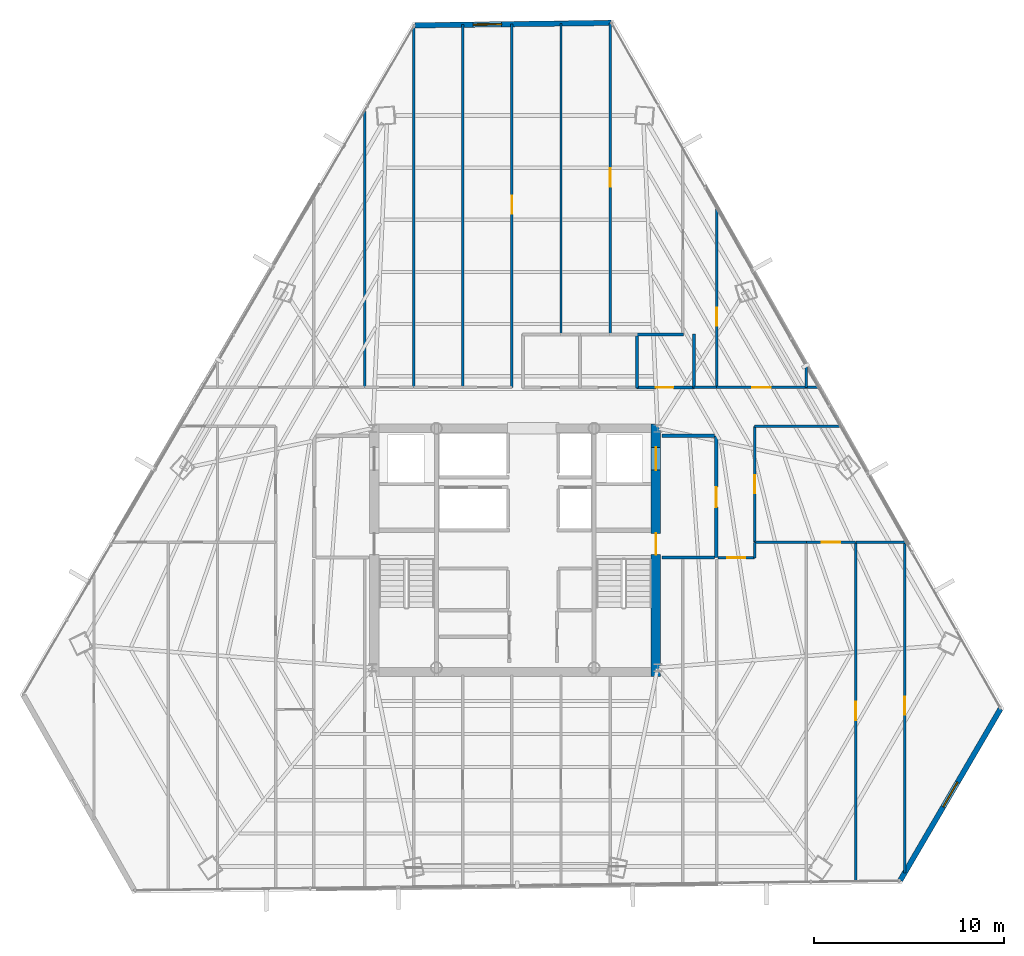
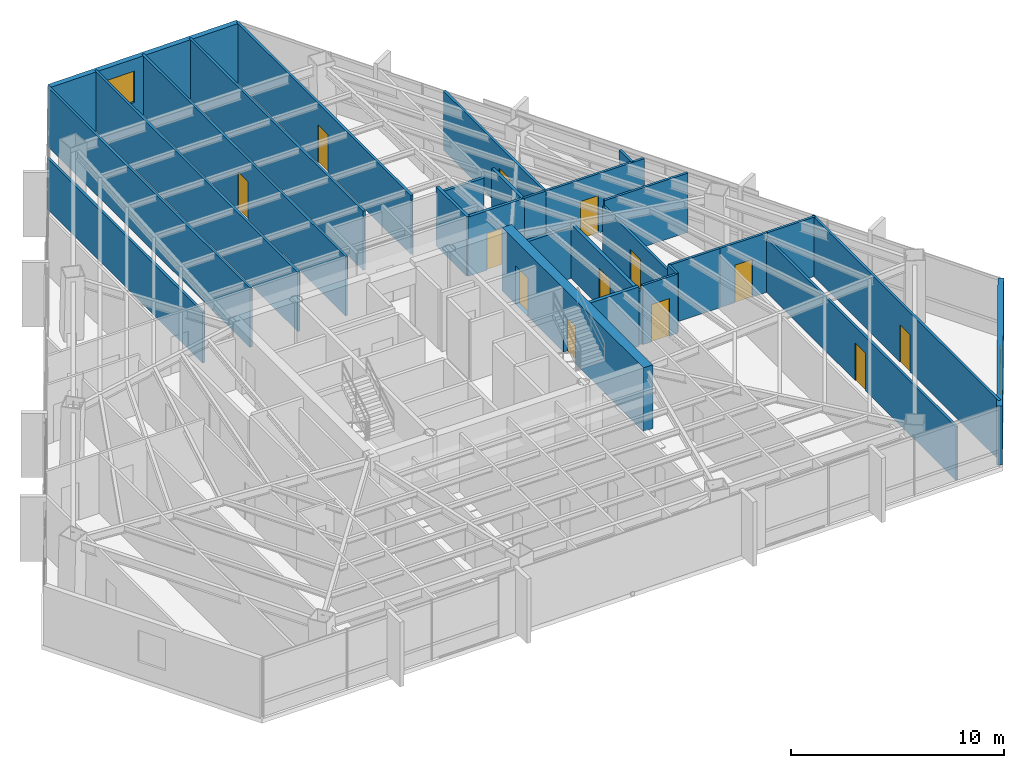
# One storey, part 38 of 42: 29 walls, 13 doors, 2 windows, 15 openings.
"""IFC4 building model written with IfcOpenShell, lengths in metres."""

from ifc_helpers import new_model, si_unit, direction, frame, frame_2d, origin, place, context, subcontext, project, spatial, rectangle, extrude, material, layer, layer_set, type_object, element, fill, save


model = new_model("IFC4")

# Units and contexts
model_context = context("Model", 3, precision=1e-05, world=origin(), true_north=direction((0.0, 1.0)))
body_context = subcontext(model_context, "Body", "Model", "MODEL_VIEW")
ifc_project = project(units=[si_unit("LENGTHUNIT", "METRE"), si_unit("AREAUNIT", "SQUARE_METRE"), si_unit("VOLUMEUNIT", "CUBIC_METRE"), si_unit("PLANEANGLEUNIT", "RADIAN"), si_unit("MASSUNIT", "GRAM", prefix="KILO")], contexts=[model_context])

# Site, building, storey
site_placement = place(None, origin())
site = spatial("IfcSite", under=ifc_project, at=site_placement, CompositionType="ELEMENT")
building_placement = place(site_placement, origin())
building = spatial("IfcBuilding", under=site, at=building_placement, Name="Caelisora Broadcast Tower", CompositionType="ELEMENT")
storey_placement = place(building_placement, frame((0.0, 0.0, 131.800048828125)))
storey = spatial("IfcBuildingStorey", under=building, at=storey_placement, Name="L34", CompositionType="ELEMENT", Elevation=131.800048828125)

# Wall, openings, doors
ifc_material_1 = material(Name="Concrete 50 MPa (AS 3600 S50)", Category="concrete")
ifc_layer_1 = layer(ifc_material_1, 0.5, Name="Concrete 50 MPa (AS 3600 S50)")
ifc_layer_set_1 = layer_set([ifc_layer_1], Name="Concrete 50 MPa (AS 3600 S50)")
wall_type_1 = type_object("IfcWallType", Name="CW2", PredefinedType="SHEAR", material=ifc_layer_set_1)
wall_1_placement = place(storey_placement, frame((45.409912109375, 16.949951171875, 0.0), z_axis=(0.0, 0.0, 1.0), x_axis=(0.0, 1.0, 0.0)))
wall_1 = element("IfcWall", 1, at=wall_1_placement, inside=storey, type_object=wall_type_1, Name="L34 core shear wall CW2", PredefinedType="SHEAR", context=body_context, shape_type="SweptSolid", body=[
    extrude(rectangle(XDim=13.275146484375, YDim=0.5, at=frame_2d((6.6376953125, 0.0))), origin(), (0.0, 0.0, 1.0), 3.64990234375),
])
opening_1_placement = place(wall_1_placement, frame((6.39990234375, 0.0, 0.0)))
opening_1 = element("IfcOpeningElement", 2, at=opening_1_placement, cuts=wall_1, Name="Opening FD04", PredefinedType="OPENING", context=body_context, shape_type="SweptSolid", body=[
    extrude(rectangle(XDim=1.1201171875, YDim=2.14990234375, at=frame_2d((0.56005859375, 1.074951171875))), frame((0.0, 0.261962890625, 0.0), z_axis=(0.0, -1.0, 0.0), x_axis=(1.0, 0.0, 0.0)), (0.0, 0.0, 1.0), 0.52392578125),
])
opening_2_placement = place(wall_1_placement, frame((10.85009765625, 0.0, 0.0)))
opening_2 = element("IfcOpeningElement", 3, at=opening_2_placement, cuts=wall_1, Name="Opening LD04", PredefinedType="OPENING", context=body_context, shape_type="SweptSolid", body=[
    extrude(rectangle(XDim=1.199951171875, YDim=2.199951171875, at=frame_2d((0.60009765625, 1.10009765625))), frame((0.0, 0.261962890625, 0.0), z_axis=(0.0, -1.0, 0.0), x_axis=(1.0, 0.0, 0.0)), (0.0, 0.0, 1.0), 0.52392578125),
])
ifc_material_2 = material(Name="Pressurised Fire-Isolated Stair Door", Category="steel")
door_type_1 = type_object("IfcDoorType", Name="FD04", OperationType="NOTDEFINED", PredefinedType="DOOR", material=ifc_material_2)
door_1_placement = place(opening_1_placement, origin())
door_1 = element("IfcDoor", 4, at=door_1_placement, inside=storey, type_object=door_type_1, Name="L34 door FD04 (L34-DR-ST2)", OperationType="SINGLE_SWING_RIGHT", OverallHeight=2.14990234375, OverallWidth=1.1201171875, PredefinedType="DOOR", context=body_context, shape_type="SweptSolid", body=[
    extrude(rectangle(XDim=1.1201171875, YDim=2.14990234375, at=frame_2d((0.56005859375, 1.074951171875))), frame((0.0, 0.02490234375, 0.0), z_axis=(0.0, -1.0, 0.0), x_axis=(1.0, 0.0, 0.0)), (0.0, 0.0, 1.0), 0.050048828125),
])
fill(opening_1, door_1)
ifc_material_3 = material(Name="Emergency Firefighting Lift Sliding Landing Door", Category="steel")
door_type_2 = type_object("IfcDoorType", Name="LD04", OperationType="NOTDEFINED", PredefinedType="DOOR", material=ifc_material_3)
door_2_placement = place(opening_2_placement, origin())
door_2 = element("IfcDoor", 5, at=door_2_placement, inside=storey, type_object=door_type_2, Name="L34 door LD04 (L34-LD-FFL2)", OperationType="SLIDING_TO_RIGHT", OverallHeight=2.199951171875, OverallWidth=1.199951171875, PredefinedType="DOOR", context=body_context, shape_type="SweptSolid", body=[
    extrude(rectangle(XDim=1.199951171875, YDim=2.199951171875, at=frame_2d((0.60009765625, 1.10009765625))), frame((0.0, 0.02490234375, 0.0), z_axis=(0.0, -1.0, 0.0), x_axis=(1.0, 0.0, 0.0)), (0.0, 0.0, 1.0), 0.050048828125),
])
fill(opening_2, door_2)

# Wall, opening, window
ifc_material_4 = material(Name="Insulated Terracotta Spandrel Wall System", Category="masonry")
ifc_layer_2 = layer(ifc_material_4, 0.280029296875, Name="Insulated Terracotta Spandrel Wall System")
ifc_layer_set_2 = layer_set([ifc_layer_2], Name="Insulated Terracotta Spandrel Wall System")
wall_type_2 = type_object("IfcWallType", Name="EW1", PredefinedType="STANDARD", material=ifc_layer_set_2)
wall_2_placement = place(storey_placement, frame((63.538818359375, 15.22998046875, 0.0), z_axis=(0.0, 0.0, 1.0), x_axis=(-0.504559648088, -0.863376836336, 0.0)))
wall_2 = element("IfcWall", 6, at=wall_2_placement, inside=storey, type_object=wall_type_2, Name="L34 exterior envelope wall EW1", PredefinedType="STANDARD", context=body_context, shape_type="SweptSolid", body=[
    extrude(rectangle(XDim=10.4462890625, YDim=0.280029296875, at=frame_2d((5.22314453125, 0.0))), origin(), (0.0, 0.0, 1.0), 3.39990234375),
])
opening_3_placement = place(wall_2_placement, frame((4.469970703125, 0.0, 0.89990234375)))
opening_3 = element("IfcOpeningElement", 7, at=opening_3_placement, cuts=wall_2, Name="Opening W02", PredefinedType="OPENING", context=body_context, shape_type="SweptSolid", body=[
    extrude(rectangle(XDim=1.5, YDim=1.800048828125, at=frame_2d((0.75, 0.89990234375))), frame((0.0, 0.152099609375, 0.0), z_axis=(0.0, -1.0, 0.0), x_axis=(1.0, 0.0, 0.0)), (0.0, 0.0, 1.0), 0.303955078125),
])
ifc_material_5 = material(Name="Double Glazed Terracotta-Framed Vision Window", Category="glass")
window_type = type_object("IfcWindowType", Name="W02", PartitioningType="SINGLE_PANEL", PredefinedType="WINDOW", material=ifc_material_5)
window_1_placement = place(opening_3_placement, origin())
window_1 = element("IfcWindow", 8, at=window_1_placement, inside=storey, type_object=window_type, Name="L34 window W02 (L34-WN-CH0)", OverallHeight=1.800048828125, OverallWidth=1.5, PartitioningType="SINGLE_PANEL", PredefinedType="WINDOW", context=body_context, shape_type="SweptSolid", body=[
    extrude(rectangle(XDim=1.5, YDim=1.800048828125, at=frame_2d((0.75, 0.89990234375))), frame((0.0, 0.030029296875, 0.0), z_axis=(0.0, -1.0, 0.0), x_axis=(1.0, 0.0, 0.0)), (0.0, 0.0, 1.0), 0.06005859375),
])
fill(opening_3, window_1)

wall_3_placement = place(storey_placement, frame((32.72998046875, 51.21044921875, 0.0), z_axis=(0.0, 0.0, 1.0), x_axis=(0.999920375243, 0.012619158972, 0.0)))
wall_3 = element("IfcWall", 9, at=wall_3_placement, inside=storey, type_object=wall_type_2, Name="L34 exterior envelope wall EW1", PredefinedType="STANDARD", context=body_context, shape_type="SweptSolid", body=[
    extrude(rectangle(XDim=10.311767578125, YDim=0.280029296875, at=frame_2d((5.15576171875, 0.0))), origin(), (0.0, 0.0, 1.0), 3.39990234375),
])
opening_4_placement = place(wall_3_placement, frame((3.06005859375, 0.0, 0.89990234375)))
opening_4 = element("IfcOpeningElement", 10, at=opening_4_placement, cuts=wall_3, Name="Opening W02", PredefinedType="OPENING", context=body_context, shape_type="SweptSolid", body=[
    extrude(rectangle(XDim=1.5, YDim=1.800048828125, at=frame_2d((0.75, 0.89990234375))), frame((0.0, 0.152099609375, 0.0), z_axis=(0.0, -1.0, 0.0), x_axis=(1.0, 0.0, 0.0)), (0.0, 0.0, 1.0), 0.303955078125),
])
window_2_placement = place(opening_4_placement, origin())
window_2 = element("IfcWindow", 11, at=window_2_placement, inside=storey, type_object=window_type, Name="L34 window W02 (L34-WN-CH8)", OverallHeight=1.800048828125, OverallWidth=1.5, PartitioningType="SINGLE_PANEL", PredefinedType="WINDOW", context=body_context, shape_type="SweptSolid", body=[
    extrude(rectangle(XDim=1.5, YDim=1.800048828125, at=frame_2d((0.75, 0.89990234375))), frame((0.0, 0.030029296875, 0.0), z_axis=(0.0, -1.0, 0.0), x_axis=(1.0, 0.0, 0.0)), (0.0, 0.0, 1.0), 0.06005859375),
])
fill(opening_4, window_2)

# Wall, opening, door
ifc_material_6 = material(Name="Fire-Rated Gypsum Shaft and Compartment Wall", Category="gypsum")
ifc_layer_3 = layer(ifc_material_6, 0.179931640625, Name="Fire-Rated Gypsum Shaft and Compartment Wall")
ifc_layer_set_3 = layer_set([ifc_layer_3], Name="Fire-Rated Gypsum Shaft and Compartment Wall")
wall_type_3 = type_object("IfcWallType", Name="PW2", PredefinedType="PARTITIONING", material=ifc_layer_set_3)
wall_4_placement = place(storey_placement, frame((48.580078125, 23.199951171875, 0.0), z_axis=(0.0, 0.0, 1.0), x_axis=(0.0, 1.0, 0.0)))
wall_4 = element("IfcWall", 12, at=wall_4_placement, inside=storey, type_object=wall_type_3, Name="L34 fire compartment wall PW2", PredefinedType="PARTITIONING", context=body_context, shape_type="SweptSolid", body=[
    extrude(rectangle(XDim=6.400146484375, YDim=0.179931640625, at=frame_2d((3.2001953125, 0.0))), origin(), (0.0, 0.0, 1.0), 3.07763671875),
])
opening_5_placement = place(wall_4_placement, frame((2.64990234375, 0.0, 0.0)))
opening_5 = element("IfcOpeningElement", 13, at=opening_5_placement, cuts=wall_4, Name="Opening FD02", PredefinedType="OPENING", context=body_context, shape_type="SweptSolid", body=[
    extrude(rectangle(XDim=1.050048828125, YDim=2.14990234375, at=frame_2d((0.52490234375, 1.074951171875))), frame((0.0, 0.10205078125, 0.0), z_axis=(0.0, -1.0, 0.0), x_axis=(1.0, 0.0, 0.0)), (0.0, 0.0, 1.0), 0.203857421875),
])
ifc_material_7 = material(Name="Single-Leaf Steel Fire Lobby Door", Category="steel")
door_type_3 = type_object("IfcDoorType", Name="FD02", OperationType="NOTDEFINED", PredefinedType="DOOR", material=ifc_material_7)
door_3_placement = place(opening_5_placement, origin())
door_3 = element("IfcDoor", 14, at=door_3_placement, inside=storey, type_object=door_type_3, Name="L34 door FD02 (L34-DR-P04D1)", OperationType="SINGLE_SWING_LEFT", OverallHeight=2.14990234375, OverallWidth=1.050048828125, PredefinedType="DOOR", context=body_context, shape_type="SweptSolid", body=[
    extrude(rectangle(XDim=1.050048828125, YDim=2.14990234375, at=frame_2d((0.52490234375, 1.074951171875))), frame((0.0, 0.02490234375, 0.0), z_axis=(0.0, -1.0, 0.0), x_axis=(1.0, 0.0, 0.0)), (0.0, 0.0, 1.0), 0.050048828125),
])
fill(opening_5, door_3)

# Walls
wall_5_placement = place(storey_placement, frame((45.719970703125, 23.199951171875, 0.0), z_axis=(0.0, 0.0, 1.0), x_axis=(1.0, 0.0, 0.0)))
element("IfcWall", 15, at=wall_5_placement, inside=storey, type_object=wall_type_3, Name="L34 fire compartment wall PW2", PredefinedType="PARTITIONING", context=body_context, shape_type="SweptSolid", body=[
    extrude(rectangle(XDim=2.760009765625, YDim=0.179931640625, at=frame_2d((1.3798828125, 0.0))), origin(), (0.0, 0.0, 1.0), 3.39990234375),
])
wall_6_placement = place(storey_placement, frame((45.719970703125, 29.60009765625, 0.0), z_axis=(0.0, 0.0, 1.0), x_axis=(1.0, 0.0, 0.0)))
element("IfcWall", 16, at=wall_6_placement, inside=storey, type_object=wall_type_3, Name="L34 fire compartment wall PW2", PredefinedType="PARTITIONING", context=body_context, shape_type="SweptSolid", body=[
    extrude(rectangle(XDim=2.760009765625, YDim=0.179931640625, at=frame_2d((1.3798828125, 0.0))), origin(), (0.0, 0.0, 1.0), 2.924560546875),
])

# Wall, opening, door
ifc_material_8 = material(Name="Acoustic Steel-Stud Plasterboard Partition", Category="gypsum")
ifc_layer_4 = layer(ifc_material_8, 0.1298828125, Name="Acoustic Steel-Stud Plasterboard Partition")
ifc_layer_set_4 = layer_set([ifc_layer_4], Name="Acoustic Steel-Stud Plasterboard Partition")
wall_type_4 = type_object("IfcWallType", Name="PW3", PredefinedType="PARTITIONING", material=ifc_layer_set_4)
wall_7_placement = place(storey_placement, frame((37.830078125, 32.155029296875, 0.0), z_axis=(0.0, 0.0, 1.0), x_axis=(0.0, 1.0, 0.0)))
wall_7 = element("IfcWall", 17, at=wall_7_placement, inside=storey, type_object=wall_type_4, Name="L34 internal partition PW3", PredefinedType="PARTITIONING", context=body_context, shape_type="SweptSolid", body=[
    extrude(rectangle(XDim=19.124755859375, YDim=0.1298828125, at=frame_2d((9.5625, 0.0))), origin(), (0.0, 0.0, 1.0), 3.39990234375),
])
opening_6_placement = place(wall_7_placement, frame((9.126953125, 0.0, 0.0)))
opening_6 = element("IfcOpeningElement", 18, at=opening_6_placement, cuts=wall_7, Name="Opening D01", PredefinedType="OPENING", context=body_context, shape_type="SweptSolid", body=[
    extrude(rectangle(XDim=0.9599609375, YDim=2.14990234375, at=frame_2d((0.47998046875, 1.074951171875))), frame((0.0, 0.076904296875, 0.0), z_axis=(0.0, -1.0, 0.0), x_axis=(1.0, 0.0, 0.0)), (0.0, 0.0, 1.0), 0.15380859375),
])
ifc_material_9 = material(Name="Solid-Core Timber Acoustic Office Door", Category="wood")
door_type_4 = type_object("IfcDoorType", Name="D01", OperationType="NOTDEFINED", PredefinedType="DOOR", material=ifc_material_9)
door_4_placement = place(opening_6_placement, origin())
door_4 = element("IfcDoor", 19, at=door_4_placement, inside=storey, type_object=door_type_4, Name="L34 door D01 (L34-DR-P27D1)", OperationType="SINGLE_SWING_RIGHT", OverallHeight=2.14990234375, OverallWidth=0.9599609375, PredefinedType="DOOR", context=body_context, shape_type="SweptSolid", body=[
    extrude(rectangle(XDim=0.9599609375, YDim=2.14990234375, at=frame_2d((0.47998046875, 1.074951171875))), frame((0.0, 0.02490234375, 0.0), z_axis=(0.0, -1.0, 0.0), x_axis=(1.0, 0.0, 0.0)), (0.0, 0.0, 1.0), 0.050048828125),
])
fill(opening_6, door_4)

# Walls
wall_8_placement = place(storey_placement, frame((35.25, 32.155029296875, 0.0), z_axis=(0.0, 0.0, 1.0), x_axis=(0.0, 1.0, 0.0)))
element("IfcWall", 20, at=wall_8_placement, inside=storey, type_object=wall_type_4, Name="L34 internal partition PW3", PredefinedType="PARTITIONING", context=body_context, shape_type="SweptSolid", body=[
    extrude(rectangle(XDim=19.09228515625, YDim=0.1298828125, at=frame_2d((9.546142578125, 0.0))), origin(), (0.0, 0.0, 1.0), 3.39990234375),
])
wall_9_placement = place(storey_placement, frame((32.659912109375, 32.155029296875, 0.0), z_axis=(0.0, 0.0, 1.0), x_axis=(0.0, 1.0, 0.0)))
element("IfcWall", 21, at=wall_9_placement, inside=storey, type_object=wall_type_4, Name="L34 internal partition PW3", PredefinedType="PARTITIONING", context=body_context, shape_type="SweptSolid", body=[
    extrude(rectangle(XDim=18.9970703125, YDim=0.1298828125, at=frame_2d((9.49853515625, 0.0))), origin(), (0.0, 0.0, 1.0), 3.39990234375),
])

# Wall, opening, door
wall_10_placement = place(storey_placement, frame((55.919921875, 6.150634765625, 0.0), z_axis=(0.0, 0.0, 1.0), x_axis=(0.0, 1.0, 0.0)))
wall_10 = element("IfcWall", 22, at=wall_10_placement, inside=storey, type_object=wall_type_4, Name="L34 internal partition PW3", PredefinedType="PARTITIONING", context=body_context, shape_type="SweptSolid", body=[
    extrude(rectangle(XDim=17.844482421875, YDim=0.1298828125, at=frame_2d((8.92236328125, 0.0))), origin(), (0.0, 0.0, 1.0), 3.07763671875),
])
opening_7_placement = place(wall_10_placement, frame((8.488037109375, 0.0, 0.0)))
opening_7 = element("IfcOpeningElement", 23, at=opening_7_placement, cuts=wall_10, Name="Opening D01", PredefinedType="OPENING", context=body_context, shape_type="SweptSolid", body=[
    extrude(rectangle(XDim=0.9599609375, YDim=2.14990234375, at=frame_2d((0.47998046875, 1.074951171875))), frame((0.0, 0.076904296875, 0.0), z_axis=(0.0, -1.0, 0.0), x_axis=(1.0, 0.0, 0.0)), (0.0, 0.0, 1.0), 0.15380859375),
])
door_5_placement = place(opening_7_placement, origin())
door_5 = element("IfcDoor", 24, at=door_5_placement, inside=storey, type_object=door_type_4, Name="L34 door D01 (L34-DR-P33D1)", OperationType="SINGLE_SWING_LEFT", OverallHeight=2.14990234375, OverallWidth=0.9599609375, PredefinedType="DOOR", context=body_context, shape_type="SweptSolid", body=[
    extrude(rectangle(XDim=0.9599609375, YDim=2.14990234375, at=frame_2d((0.47998046875, 1.074951171875))), frame((0.0, 0.02490234375, 0.0), z_axis=(0.0, -1.0, 0.0), x_axis=(1.0, 0.0, 0.0)), (0.0, 0.0, 1.0), 0.050048828125),
])
fill(opening_7, door_5)

wall_11_placement = place(storey_placement, frame((58.5, 6.59716796875, 0.0), z_axis=(0.0, 0.0, 1.0), x_axis=(0.0, 1.0, 0.0)))
wall_11 = element("IfcWall", 25, at=wall_11_placement, inside=storey, type_object=wall_type_4, Name="L34 internal partition PW3", PredefinedType="PARTITIONING", context=body_context, shape_type="SweptSolid", body=[
    extrude(rectangle(XDim=17.54248046875, YDim=0.1298828125, at=frame_2d((8.771240234375, 0.0))), origin(), (0.0, 0.0, 1.0), 3.39990234375),
])
opening_8_placement = place(wall_11_placement, frame((8.31494140625, 0.0, 0.0)))
opening_8 = element("IfcOpeningElement", 26, at=opening_8_placement, cuts=wall_11, Name="Opening D01", PredefinedType="OPENING", context=body_context, shape_type="SweptSolid", body=[
    extrude(rectangle(XDim=0.9599609375, YDim=2.14990234375, at=frame_2d((0.47998046875, 1.074951171875))), frame((0.0, 0.076904296875, 0.0), z_axis=(0.0, -1.0, 0.0), x_axis=(1.0, 0.0, 0.0)), (0.0, 0.0, 1.0), 0.15380859375),
])
door_6_placement = place(opening_8_placement, origin())
door_6 = element("IfcDoor", 27, at=door_6_placement, inside=storey, type_object=door_type_4, Name="L34 door D01 (L34-DR-P34D1)", OperationType="SINGLE_SWING_RIGHT", OverallHeight=2.14990234375, OverallWidth=0.9599609375, PredefinedType="DOOR", context=body_context, shape_type="SweptSolid", body=[
    extrude(rectangle(XDim=0.9599609375, YDim=2.14990234375, at=frame_2d((0.47998046875, 1.074951171875))), frame((0.0, 0.02490234375, 0.0), z_axis=(0.0, -1.0, 0.0), x_axis=(1.0, 0.0, 0.0)), (0.0, 0.0, 1.0), 0.050048828125),
])
fill(opening_8, door_6)

wall_12_placement = place(storey_placement, frame((43.0, 34.955078125, 0.0), z_axis=(0.0, 0.0, 1.0), x_axis=(0.0, 1.0, 0.0)))
wall_12 = element("IfcWall", 28, at=wall_12_placement, inside=storey, type_object=wall_type_4, Name="L34 internal partition PW3", PredefinedType="PARTITIONING", context=body_context, shape_type="SweptSolid", body=[
    extrude(rectangle(XDim=16.389892578125, YDim=0.1298828125, at=frame_2d((8.19482421875, 0.0))), origin(), (0.0, 0.0, 1.0), 3.39990234375),
])
opening_9_placement = place(wall_12_placement, frame((7.761962890625, 0.0, 0.0)))
opening_9 = element("IfcOpeningElement", 29, at=opening_9_placement, cuts=wall_12, Name="Opening D01", PredefinedType="OPENING", context=body_context, shape_type="SweptSolid", body=[
    extrude(rectangle(XDim=0.9599609375, YDim=2.14990234375, at=frame_2d((0.47998046875, 1.074951171875))), frame((0.0, 0.076904296875, 0.0), z_axis=(0.0, -1.0, 0.0), x_axis=(1.0, 0.0, 0.0)), (0.0, 0.0, 1.0), 0.15380859375),
])
door_7_placement = place(opening_9_placement, origin())
door_7 = element("IfcDoor", 30, at=door_7_placement, inside=storey, type_object=door_type_4, Name="L34 door D01 (L34-DR-P38D1)", OperationType="SINGLE_SWING_LEFT", OverallHeight=2.14990234375, OverallWidth=0.9599609375, PredefinedType="DOOR", context=body_context, shape_type="SweptSolid", body=[
    extrude(rectangle(XDim=0.9599609375, YDim=2.14990234375, at=frame_2d((0.47998046875, 1.074951171875))), frame((0.0, 0.02490234375, 0.0), z_axis=(0.0, -1.0, 0.0), x_axis=(1.0, 0.0, 0.0)), (0.0, 0.0, 1.0), 0.050048828125),
])
fill(opening_9, door_7)

# Walls
wall_13_placement = place(storey_placement, frame((40.409912109375, 34.955078125, 0.0), z_axis=(0.0, 0.0, 1.0), x_axis=(0.0, 1.0, 0.0)))
element("IfcWall", 31, at=wall_13_placement, inside=storey, type_object=wall_type_4, Name="L34 internal partition PW3", PredefinedType="PARTITIONING", context=body_context, shape_type="SweptSolid", body=[
    extrude(rectangle(XDim=16.357177734375, YDim=0.1298828125, at=frame_2d((8.1787109375, 0.0))), origin(), (0.0, 0.0, 1.0), 3.39990234375),
])
wall_14_placement = place(storey_placement, frame((30.080078125, 32.155029296875, 0.0), z_axis=(0.0, 0.0, 1.0), x_axis=(0.0, 1.0, 0.0)))
element("IfcWall", 32, at=wall_14_placement, inside=storey, type_object=wall_type_4, Name="L34 internal partition PW3", PredefinedType="PARTITIONING", context=body_context, shape_type="SweptSolid", body=[
    extrude(rectangle(XDim=14.58203125, YDim=0.1298828125, at=frame_2d((7.291015625, 0.0))), origin(), (0.0, 0.0, 1.0), 2.924560546875),
])

# Wall, opening, door
wall_15_placement = place(storey_placement, frame((48.60009765625, 32.155029296875, 0.0), z_axis=(0.0, 0.0, 1.0), x_axis=(0.0, 1.0, 0.0)))
wall_15 = element("IfcWall", 33, at=wall_15_placement, inside=storey, type_object=wall_type_4, Name="L34 internal partition PW3", PredefinedType="PARTITIONING", context=body_context, shape_type="SweptSolid", body=[
    extrude(rectangle(XDim=9.455810546875, YDim=0.1298828125, at=frame_2d((4.72802734375, 0.0))), origin(), (0.0, 0.0, 1.0), 3.39990234375),
])
opening_10_placement = place(wall_15_placement, frame((3.239990234375, 0.0, 0.0)))
opening_10 = element("IfcOpeningElement", 34, at=opening_10_placement, cuts=wall_15, Name="Opening D01", PredefinedType="OPENING", context=body_context, shape_type="SweptSolid", body=[
    extrude(rectangle(XDim=0.9599609375, YDim=2.14990234375, at=frame_2d((0.47998046875, 1.074951171875))), frame((0.0, 0.076904296875, 0.0), z_axis=(0.0, -1.0, 0.0), x_axis=(1.0, 0.0, 0.0)), (0.0, 0.0, 1.0), 0.15380859375),
])
door_8_placement = place(opening_10_placement, origin())
door_8 = element("IfcDoor", 35, at=door_8_placement, inside=storey, type_object=door_type_4, Name="L34 door D01 (L34-DR-P50D1)", OperationType="SINGLE_SWING_LEFT", OverallHeight=2.14990234375, OverallWidth=0.9599609375, PredefinedType="DOOR", context=body_context, shape_type="SweptSolid", body=[
    extrude(rectangle(XDim=0.9599609375, YDim=2.14990234375, at=frame_2d((0.47998046875, 1.074951171875))), frame((0.0, 0.02490234375, 0.0), z_axis=(0.0, -1.0, 0.0), x_axis=(1.0, 0.0, 0.0)), (0.0, 0.0, 1.0), 0.050048828125),
])
fill(opening_10, door_8)

wall_16_placement = place(storey_placement, frame((50.60009765625, 24.0048828125, 0.0), z_axis=(0.0, 0.0, 1.0), x_axis=(0.0, 1.0, 0.0)))
wall_16 = element("IfcWall", 36, at=wall_16_placement, inside=storey, type_object=wall_type_4, Name="L34 internal partition PW3", PredefinedType="PARTITIONING", context=body_context, shape_type="SweptSolid", body=[
    extrude(rectangle(XDim=6.090087890625, YDim=0.1298828125, at=frame_2d((3.044921875, 0.0))), origin(), (0.0, 0.0, 1.0), 3.07763671875),
])
opening_11_placement = place(wall_16_placement, frame((2.56494140625, 0.0, 0.0)))
opening_11 = element("IfcOpeningElement", 37, at=opening_11_placement, cuts=wall_16, Name="Opening D01", PredefinedType="OPENING", context=body_context, shape_type="SweptSolid", body=[
    extrude(rectangle(XDim=0.9599609375, YDim=2.14990234375, at=frame_2d((0.47998046875, 1.074951171875))), frame((0.0, 0.076904296875, 0.0), z_axis=(0.0, -1.0, 0.0), x_axis=(1.0, 0.0, 0.0)), (0.0, 0.0, 1.0), 0.15380859375),
])
door_9_placement = place(opening_11_placement, origin())
door_9 = element("IfcDoor", 38, at=door_9_placement, inside=storey, type_object=door_type_4, Name="L34 door D01 (L34-DR-P57D1)", OperationType="SINGLE_SWING_LEFT", OverallHeight=2.14990234375, OverallWidth=0.9599609375, PredefinedType="DOOR", context=body_context, shape_type="SweptSolid", body=[
    extrude(rectangle(XDim=0.9599609375, YDim=2.14990234375, at=frame_2d((0.47998046875, 1.074951171875))), frame((0.0, 0.02490234375, 0.0), z_axis=(0.0, -1.0, 0.0), x_axis=(1.0, 0.0, 0.0)), (0.0, 0.0, 1.0), 0.050048828125),
])
fill(opening_11, door_9)

wall_17_placement = place(storey_placement, frame((48.60498046875, 32.14990234375, 0.0), z_axis=(0.0, 0.0, 1.0), x_axis=(1.0, 0.0, 0.0)))
wall_17 = element("IfcWall", 39, at=wall_17_placement, inside=storey, type_object=wall_type_4, Name="L34 internal partition PW3", PredefinedType="PARTITIONING", context=body_context, shape_type="SweptSolid", body=[
    extrude(rectangle(XDim=5.339599609375, YDim=0.1298828125, at=frame_2d((2.669921875, 0.0))), origin(), (0.0, 0.0, 1.0), 3.39990234375),
])
opening_12_placement = place(wall_17_placement, frame((1.8798828125, 0.0, 0.0)))
opening_12 = element("IfcOpeningElement", 40, at=opening_12_placement, cuts=wall_17, Name="Opening D01", PredefinedType="OPENING", context=body_context, shape_type="SweptSolid", body=[
    extrude(rectangle(XDim=0.9599609375, YDim=2.14990234375, at=frame_2d((0.47998046875, 1.074951171875))), frame((0.0, 0.076904296875, 0.0), z_axis=(0.0, -1.0, 0.0), x_axis=(1.0, 0.0, 0.0)), (0.0, 0.0, 1.0), 0.15380859375),
])
door_10_placement = place(opening_12_placement, origin())
door_10 = element("IfcDoor", 41, at=door_10_placement, inside=storey, type_object=door_type_4, Name="L34 door D01 (L34-DR-P60D1)", OperationType="SINGLE_SWING_LEFT", OverallHeight=2.14990234375, OverallWidth=0.9599609375, PredefinedType="DOOR", context=body_context, shape_type="SweptSolid", body=[
    extrude(rectangle(XDim=0.9599609375, YDim=2.14990234375, at=frame_2d((0.47998046875, 1.074951171875))), frame((0.0, 0.02490234375, 0.0), z_axis=(0.0, -1.0, 0.0), x_axis=(1.0, 0.0, 0.0)), (0.0, 0.0, 1.0), 0.050048828125),
])
fill(opening_12, door_10)

# Walls
wall_18_placement = place(storey_placement, frame((50.60498046875, 30.10009765625, 0.0), z_axis=(0.0, 0.0, 1.0), x_axis=(1.0, 0.0, 0.0)))
element("IfcWall", 42, at=wall_18_placement, inside=storey, type_object=wall_type_4, Name="L34 internal partition PW3", PredefinedType="PARTITIONING", context=body_context, shape_type="SweptSolid", body=[
    extrude(rectangle(XDim=4.52880859375, YDim=0.1298828125, at=frame_2d((2.264404296875, 0.0))), origin(), (0.0, 0.0, 1.0), 3.39990234375),
])
wall_19_placement = place(storey_placement, frame((50.60498046875, 24.0, 0.0), z_axis=(0.0, 0.0, 1.0), x_axis=(1.0, 0.0, 0.0)))
element("IfcWall", 43, at=wall_19_placement, inside=storey, type_object=wall_type_4, Name="L34 internal partition PW3", PredefinedType="PARTITIONING", context=body_context, shape_type="SweptSolid", body=[
    extrude(rectangle(XDim=2.719970703125, YDim=0.1298828125, at=frame_2d((1.35986328125, 0.0))), origin(), (0.0, 0.0, 1.0), 3.39990234375),
])

# Wall, opening, door
wall_20_placement = place(storey_placement, frame((53.3349609375, 24.0, 0.0), z_axis=(0.0, 0.0, 1.0), x_axis=(1.0, 0.0, 0.0)))
wall_20 = element("IfcWall", 44, at=wall_20_placement, inside=storey, type_object=wall_type_4, Name="L34 internal partition PW3", PredefinedType="PARTITIONING", context=body_context, shape_type="SweptSolid", body=[
    extrude(rectangle(XDim=2.580078125, YDim=0.1298828125, at=frame_2d((1.2900390625, 0.0))), origin(), (0.0, 0.0, 1.0), 3.39990234375),
])
opening_13_placement = place(wall_20_placement, frame((0.81005859375, 0.0, 0.0)))
opening_13 = element("IfcOpeningElement", 45, at=opening_13_placement, cuts=wall_20, Name="Opening D01", PredefinedType="OPENING", context=body_context, shape_type="SweptSolid", body=[
    extrude(rectangle(XDim=0.9599609375, YDim=2.14990234375, at=frame_2d((0.47998046875, 1.074951171875))), frame((0.0, 0.076904296875, 0.0), z_axis=(0.0, -1.0, 0.0), x_axis=(1.0, 0.0, 0.0)), (0.0, 0.0, 1.0), 0.15380859375),
])
door_11_placement = place(opening_13_placement, origin())
door_11 = element("IfcDoor", 46, at=door_11_placement, inside=storey, type_object=door_type_4, Name="L34 door D01 (L34-DR-P67D1)", OperationType="SINGLE_SWING_RIGHT", OverallHeight=2.14990234375, OverallWidth=0.9599609375, PredefinedType="DOOR", context=body_context, shape_type="SweptSolid", body=[
    extrude(rectangle(XDim=0.9599609375, YDim=2.14990234375, at=frame_2d((0.47998046875, 1.074951171875))), frame((0.0, 0.02490234375, 0.0), z_axis=(0.0, -1.0, 0.0), x_axis=(1.0, 0.0, 0.0)), (0.0, 0.0, 1.0), 0.050048828125),
])
fill(opening_13, door_11)

# Wall
wall_21_placement = place(storey_placement, frame((55.925048828125, 24.0, 0.0), z_axis=(0.0, 0.0, 1.0), x_axis=(1.0, 0.0, 0.0)))
element("IfcWall", 47, at=wall_21_placement, inside=storey, type_object=wall_type_4, Name="L34 internal partition PW3", PredefinedType="PARTITIONING", context=body_context, shape_type="SweptSolid", body=[
    extrude(rectangle(XDim=2.6455078125, YDim=0.1298828125, at=frame_2d((1.32275390625, 0.0))), origin(), (0.0, 0.0, 1.0), 3.39990234375),
])

# Wall, opening, door
wall_22_placement = place(storey_placement, frame((48.675048828125, 23.179931640625, 0.0), z_axis=(0.0, 0.0, 1.0), x_axis=(1.0, 0.0, 0.0)))
wall_22 = element("IfcWall", 48, at=wall_22_placement, inside=storey, type_object=wall_type_4, Name="L34 internal partition PW3", PredefinedType="PARTITIONING", context=body_context, shape_type="SweptSolid", body=[
    extrude(rectangle(XDim=1.919921875, YDim=0.1298828125, at=frame_2d((0.9599609375, 0.0))), origin(), (0.0, 0.0, 1.0), 3.39990234375),
])
opening_14_placement = place(wall_22_placement, frame((0.47998046875, 0.0, 0.0)))
opening_14 = element("IfcOpeningElement", 49, at=opening_14_placement, cuts=wall_22, Name="Opening D01", PredefinedType="OPENING", context=body_context, shape_type="SweptSolid", body=[
    extrude(rectangle(XDim=0.9599609375, YDim=2.14990234375, at=frame_2d((0.47998046875, 1.074951171875))), frame((0.0, 0.076904296875, 0.0), z_axis=(0.0, -1.0, 0.0), x_axis=(1.0, 0.0, 0.0)), (0.0, 0.0, 1.0), 0.15380859375),
])
door_12_placement = place(opening_14_placement, origin())
door_12 = element("IfcDoor", 50, at=door_12_placement, inside=storey, type_object=door_type_4, Name="L34 door D01 (L34-DR-P74D1)", OperationType="SINGLE_SWING_RIGHT", OverallHeight=2.14990234375, OverallWidth=0.9599609375, PredefinedType="DOOR", context=body_context, shape_type="SweptSolid", body=[
    extrude(rectangle(XDim=0.9599609375, YDim=2.14990234375, at=frame_2d((0.47998046875, 1.074951171875))), frame((0.0, 0.02490234375, 0.0), z_axis=(0.0, -1.0, 0.0), x_axis=(1.0, 0.0, 0.0)), (0.0, 0.0, 1.0), 0.050048828125),
])
fill(opening_14, door_12)

# Walls
wall_23_placement = place(storey_placement, frame((53.330078125, 33.278076171875, 0.0), z_axis=(0.0, 0.0, 1.0), x_axis=(0.0, -1.0, 0.0)))
element("IfcWall", 51, at=wall_23_placement, inside=storey, type_object=wall_type_4, Name="L34 internal partition PW3", PredefinedType="PARTITIONING", context=body_context, shape_type="SweptSolid", body=[
    extrude(rectangle(XDim=1.123046875, YDim=0.1298828125, at=frame_2d((0.5615234375, 0.0))), origin(), (0.0, 0.0, 1.0), 3.39990234375),
])
wall_24_placement = place(storey_placement, frame((47.405029296875, 32.14990234375, 0.0), z_axis=(0.0, 0.0, 1.0), x_axis=(1.0, 0.0, 0.0)))
element("IfcWall", 52, at=wall_24_placement, inside=storey, type_object=wall_type_4, Name="L34 internal partition PW3", PredefinedType="PARTITIONING", context=body_context, shape_type="SweptSolid", body=[
    extrude(rectangle(XDim=1.18994140625, YDim=0.1298828125, at=frame_2d((0.594970703125, 0.0))), origin(), (0.0, 0.0, 1.0), 3.39990234375),
])
wall_25_placement = place(storey_placement, frame((50.60009765625, 23.18505859375, 0.0), z_axis=(0.0, 0.0, 1.0), x_axis=(0.0, 1.0, 0.0)))
element("IfcWall", 53, at=wall_25_placement, inside=storey, type_object=wall_type_4, Name="L34 internal partition PW3", PredefinedType="PARTITIONING", context=body_context, shape_type="SweptSolid", body=[
    extrude(rectangle(XDim=0.81005859375, YDim=0.1298828125, at=frame_2d((0.405029296875, 0.0))), origin(), (0.0, 0.0, 1.0), 3.39990234375),
])

# Wall, opening, door
ifc_material_10 = material(Name="Moisture-Resistant Wet Plumbing Service Wall", Category="gypsum")
ifc_layer_5 = layer(ifc_material_10, 0.159912109375, Name="Moisture-Resistant Wet Plumbing Service Wall")
ifc_layer_set_5 = layer_set([ifc_layer_5], Name="Moisture-Resistant Wet Plumbing Service Wall")
wall_type_5 = type_object("IfcWallType", Name="PW4", PredefinedType="PLUMBINGWALL", material=ifc_layer_set_5)
wall_26_placement = place(storey_placement, frame((44.375, 32.14990234375, 0.0), z_axis=(0.0, 0.0, 1.0), x_axis=(1.0, 0.0, 0.0)))
wall_26 = element("IfcWall", 54, at=wall_26_placement, inside=storey, type_object=wall_type_5, Name="L34 wet plumbing wall PW4", PredefinedType="PLUMBINGWALL", context=body_context, shape_type="SweptSolid", body=[
    extrude(rectangle(XDim=3.050048828125, YDim=0.159912109375, at=frame_2d((1.52490234375, 0.0))), origin(), (0.0, 0.0, 1.0), 3.39990234375),
])
opening_15_placement = place(wall_26_placement, frame((1.034912109375, 0.0, 0.0)))
opening_15 = element("IfcOpeningElement", 55, at=opening_15_placement, cuts=wall_26, Name="Opening D03", PredefinedType="OPENING", context=body_context, shape_type="SweptSolid", body=[
    extrude(rectangle(XDim=0.919921875, YDim=2.10009765625, at=frame_2d((0.4599609375, 1.050048828125))), frame((0.0, 0.092041015625, 0.0), z_axis=(0.0, -1.0, 0.0), x_axis=(1.0, 0.0, 0.0)), (0.0, 0.0, 1.0), 0.183837890625),
])
ifc_material_11 = material(Name="Laminate Moisture-Resistant Amenity WC Door", Category="wood")
door_type_5 = type_object("IfcDoorType", Name="D03", OperationType="NOTDEFINED", PredefinedType="DOOR", material=ifc_material_11)
door_13_placement = place(opening_15_placement, origin())
door_13 = element("IfcDoor", 56, at=door_13_placement, inside=storey, type_object=door_type_5, Name="L34 door D03 (L34-DR-P16D1)", OperationType="SINGLE_SWING_LEFT", OverallHeight=2.10009765625, OverallWidth=0.919921875, PredefinedType="DOOR", context=body_context, shape_type="SweptSolid", body=[
    extrude(rectangle(XDim=0.919921875, YDim=2.10009765625, at=frame_2d((0.4599609375, 1.050048828125))), frame((0.0, 0.02490234375, 0.0), z_axis=(0.0, -1.0, 0.0), x_axis=(1.0, 0.0, 0.0)), (0.0, 0.0, 1.0), 0.050048828125),
])
fill(opening_15, door_13)

# Walls
for number, where, z_axis, x_axis, name in (
    (57, (44.39990234375, 32.125, 0.0), (0.0, 0.0, 1.0), (0.0, 1.0, 0.0), "L34 wet plumbing wall PW4"),
    (58, (47.39990234375, 32.125, 0.0), (0.0, 0.0, 1.0), (0.0, 1.0, 0.0), "L34 wet plumbing wall PW4"),
):
    element("IfcWall", number, at=place(storey_placement, frame(where, z_axis=z_axis, x_axis=x_axis)), inside=storey, type_object=wall_type_5, Name=name, PredefinedType="PLUMBINGWALL", context=body_context, shape_type="SweptSolid", body=[
        extrude(rectangle(XDim=2.85009765625, YDim=0.159912109375, at=frame_2d((1.425048828125, 0.0))), origin(), (0.0, 0.0, 1.0), 3.39990234375),
    ])
wall_27_placement = place(storey_placement, frame((44.375, 34.949951171875, 0.0), z_axis=(0.0, 0.0, 1.0), x_axis=(1.0, 0.0, 0.0)))
element("IfcWall", 59, at=wall_27_placement, inside=storey, type_object=wall_type_5, Name="L34 wet plumbing wall PW4", PredefinedType="PLUMBINGWALL", context=body_context, shape_type="SweptSolid", body=[
    extrude(rectangle(XDim=2.47998046875, YDim=0.159912109375, at=frame_2d((1.239990234375, 0.0))), origin(), (0.0, 0.0, 1.0), 3.07763671875),
])

save(model, "model.ifc")
